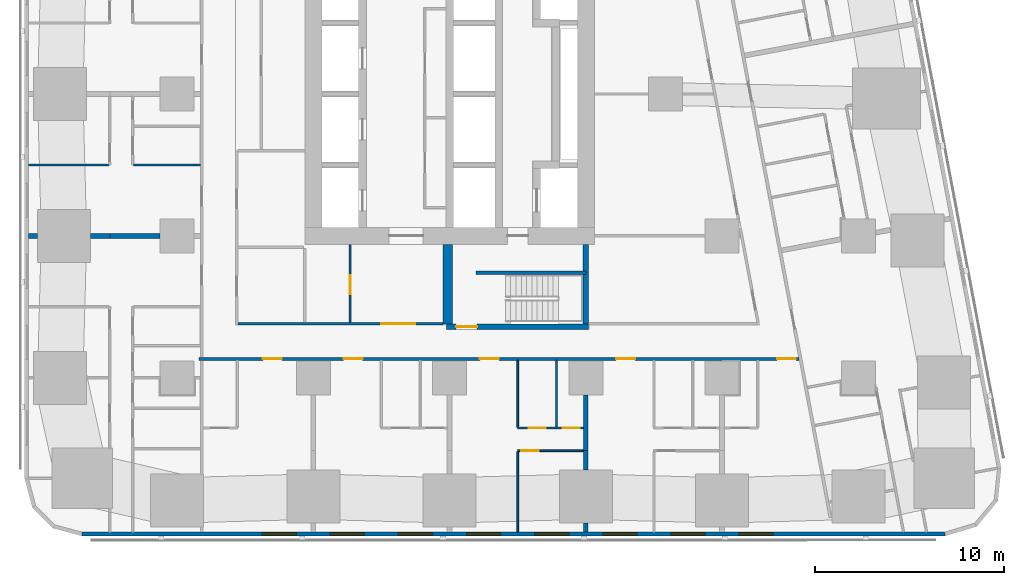
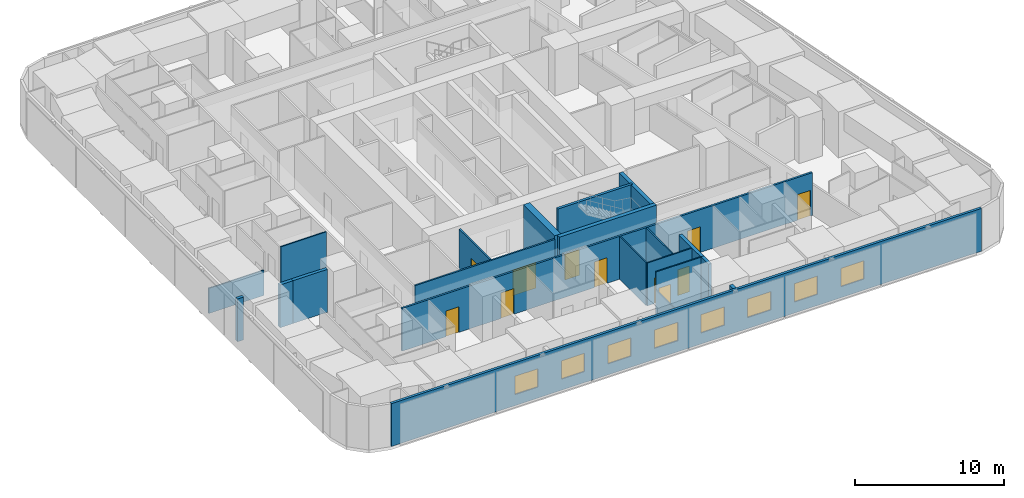
# One storey, part 3 of 15: 21 walls, 11 doors, 8 windows, 19 openings.
"""IFC4 building model written with IfcOpenShell, lengths in metres."""

from ifc_helpers import new_model, si_unit, direction, frame, frame_2d, origin, place, context, subcontext, project, spatial, rectangle, extrude, material, layer, layer_set, type_object, element, fill, save


model = new_model("IFC4")

# Units and contexts
model_context = context("Model", 3, precision=1e-05, world=origin(), true_north=direction((0.0, 1.0)))
body_context = subcontext(model_context, "Body", "Model", "MODEL_VIEW")
ifc_project = project(units=[si_unit("LENGTHUNIT", "METRE"), si_unit("AREAUNIT", "SQUARE_METRE"), si_unit("VOLUMEUNIT", "CUBIC_METRE"), si_unit("PLANEANGLEUNIT", "RADIAN"), si_unit("MASSUNIT", "GRAM", prefix="KILO")], contexts=[model_context])

# Site, building, storey
site_placement = place(None, origin())
site = spatial("IfcSite", under=ifc_project, at=site_placement, CompositionType="ELEMENT")
building_placement = place(site_placement, origin())
building = spatial("IfcBuilding", under=site, at=building_placement, Name="Sheger Commons Tower", CompositionType="ELEMENT")
storey_placement = place(building_placement, frame((0.0, 0.0, 42.5)))
storey = spatial("IfcBuildingStorey", under=building, at=storey_placement, Name="L10", CompositionType="ELEMENT", Elevation=42.5)

# Wall, openings, doors
ifc_material_1 = material(Name="Hollow concrete block masonry, skimmed both sides", Category="masonry")
ifc_layer_1 = layer(ifc_material_1, 0.14990234375)
ifc_layer_set_1 = layer_set([ifc_layer_1], Name="CORRIDOR WALL 150")
wall_type_1 = type_object("IfcWallType", Name="CORRIDOR WALL 150", PredefinedType="SOLIDWALL", material=ifc_layer_set_1)
wall_1_placement = place(storey_placement, frame((40.053955078125, 8.5, 0.0), z_axis=(0.0, 0.0, 1.0), x_axis=(-1.0, 0.0, 0.0)))
wall_1 = element("IfcWall", 1, at=wall_1_placement, inside=storey, type_object=wall_type_1, Name="Corridor wall L10", PredefinedType="SOLIDWALL", context=body_context, shape_type="SweptSolid", body=[
    extrude(rectangle(XDim=31.703857421875, YDim=0.14990234375, at=frame_2d((15.85205078125, 0.0))), origin(), (0.0, 0.0, 1.0), 3.5),
])
opening_1_placement = place(wall_1_placement, frame((27.321044921875, 0.0, 0.0)))
opening_1 = element("IfcOpeningElement", 2, at=opening_1_placement, cuts=wall_1, Name="Opening D1", PredefinedType="OPENING", context=body_context, shape_type="SweptSolid", body=[
    extrude(rectangle(XDim=1.0, YDim=2.10009765625, at=frame_2d((0.5, 1.050048828125))), frame((0.0, 0.0849609375, 0.0), z_axis=(0.0, -1.0, 0.0), x_axis=(1.0, 0.0, 0.0)), (0.0, 0.0, 1.0), 0.169921875),
])
opening_2_placement = place(wall_1_placement, frame((23.053955078125, 0.0, 0.0)))
opening_2 = element("IfcOpeningElement", 3, at=opening_2_placement, cuts=wall_1, Name="Opening D1", PredefinedType="OPENING", context=body_context, shape_type="SweptSolid", body=[
    extrude(rectangle(XDim=1.0, YDim=2.10009765625, at=frame_2d((0.5, 1.050048828125))), frame((0.0, 0.0849609375, 0.0), z_axis=(0.0, -1.0, 0.0), x_axis=(1.0, 0.0, 0.0)), (0.0, 0.0, 1.0), 0.169921875),
])
opening_3_placement = place(wall_1_placement, frame((15.85400390625, 0.0, 0.0)))
opening_3 = element("IfcOpeningElement", 4, at=opening_3_placement, cuts=wall_1, Name="Opening D1", PredefinedType="OPENING", context=body_context, shape_type="SweptSolid", body=[
    extrude(rectangle(XDim=1.0, YDim=2.10009765625, at=frame_2d((0.5, 1.050048828125))), frame((0.0, 0.0849609375, 0.0), z_axis=(0.0, -1.0, 0.0), x_axis=(1.0, 0.0, 0.0)), (0.0, 0.0, 1.0), 0.169921875),
])
opening_4_placement = place(wall_1_placement, frame((8.654052734375, 0.0, 0.0)))
opening_4 = element("IfcOpeningElement", 5, at=opening_4_placement, cuts=wall_1, Name="Opening D1", PredefinedType="OPENING", context=body_context, shape_type="SweptSolid", body=[
    extrude(rectangle(XDim=1.0, YDim=2.10009765625, at=frame_2d((0.5, 1.050048828125))), frame((0.0, 0.0849609375, 0.0), z_axis=(0.0, -1.0, 0.0), x_axis=(1.0, 0.0, 0.0)), (0.0, 0.0, 1.0), 0.169921875),
])
opening_5_placement = place(wall_1_placement, frame((0.14990234375, 0.0, 0.0)))
opening_5 = element("IfcOpeningElement", 6, at=opening_5_placement, cuts=wall_1, Name="Opening D1", PredefinedType="OPENING", context=body_context, shape_type="SweptSolid", body=[
    extrude(rectangle(XDim=1.0, YDim=2.10009765625, at=frame_2d((0.5, 1.050048828125))), frame((0.0, 0.0849609375, 0.0), z_axis=(0.0, -1.0, 0.0), x_axis=(1.0, 0.0, 0.0)), (0.0, 0.0, 1.0), 0.169921875),
])
ifc_material_2 = material(Name="Steel door set, fire rated", Category="steel")
door_type_1 = type_object("IfcDoorType", Name="FLAT ENTRANCE DOOR 1000x2100", OperationType="NOTDEFINED", PredefinedType="DOOR", material=ifc_material_2)
door_1_placement = place(opening_1_placement, origin())
door_1 = element("IfcDoor", 7, at=door_1_placement, inside=storey, type_object=door_type_1, Name="Flat entrance door", OperationType="SINGLE_SWING_LEFT", OverallHeight=2.10009765625, OverallWidth=1.0, PredefinedType="DOOR", context=body_context, shape_type="SweptSolid", body=[
    extrude(rectangle(XDim=1.0, YDim=2.10009765625, at=frame_2d((0.5, 1.050048828125))), frame((0.0, 0.02490234375, 0.0), z_axis=(0.0, -1.0, 0.0), x_axis=(1.0, 0.0, 0.0)), (0.0, 0.0, 1.0), 0.050048828125),
])
fill(opening_1, door_1)
door_2_placement = place(opening_2_placement, origin())
door_2 = element("IfcDoor", 8, at=door_2_placement, inside=storey, type_object=door_type_1, Name="Flat entrance door", OperationType="SINGLE_SWING_LEFT", OverallHeight=2.10009765625, OverallWidth=1.0, PredefinedType="DOOR", context=body_context, shape_type="SweptSolid", body=[
    extrude(rectangle(XDim=1.0, YDim=2.10009765625, at=frame_2d((0.5, 1.050048828125))), frame((0.0, 0.02490234375, 0.0), z_axis=(0.0, -1.0, 0.0), x_axis=(1.0, 0.0, 0.0)), (0.0, 0.0, 1.0), 0.050048828125),
])
fill(opening_2, door_2)
door_3_placement = place(opening_3_placement, origin())
door_3 = element("IfcDoor", 9, at=door_3_placement, inside=storey, type_object=door_type_1, Name="Flat entrance door", OperationType="SINGLE_SWING_LEFT", OverallHeight=2.10009765625, OverallWidth=1.0, PredefinedType="DOOR", context=body_context, shape_type="SweptSolid", body=[
    extrude(rectangle(XDim=1.0, YDim=2.10009765625, at=frame_2d((0.5, 1.050048828125))), frame((0.0, 0.02490234375, 0.0), z_axis=(0.0, -1.0, 0.0), x_axis=(1.0, 0.0, 0.0)), (0.0, 0.0, 1.0), 0.050048828125),
])
fill(opening_3, door_3)
door_4_placement = place(opening_4_placement, origin())
door_4 = element("IfcDoor", 10, at=door_4_placement, inside=storey, type_object=door_type_1, Name="Flat entrance door", OperationType="SINGLE_SWING_LEFT", OverallHeight=2.10009765625, OverallWidth=1.0, PredefinedType="DOOR", context=body_context, shape_type="SweptSolid", body=[
    extrude(rectangle(XDim=1.0, YDim=2.10009765625, at=frame_2d((0.5, 1.050048828125))), frame((0.0, 0.02490234375, 0.0), z_axis=(0.0, -1.0, 0.0), x_axis=(1.0, 0.0, 0.0)), (0.0, 0.0, 1.0), 0.050048828125),
])
fill(opening_4, door_4)
door_5_placement = place(opening_5_placement, origin())
door_5 = element("IfcDoor", 11, at=door_5_placement, inside=storey, type_object=door_type_1, Name="Flat entrance door", OperationType="SINGLE_SWING_LEFT", OverallHeight=2.10009765625, OverallWidth=1.0, PredefinedType="DOOR", context=body_context, shape_type="SweptSolid", body=[
    extrude(rectangle(XDim=1.0, YDim=2.10009765625, at=frame_2d((0.5, 1.050048828125))), frame((0.0, 0.02490234375, 0.0), z_axis=(0.0, -1.0, 0.0), x_axis=(1.0, 0.0, 0.0)), (0.0, 0.0, 1.0), 0.050048828125),
])
fill(opening_5, door_5)

# Walls
ifc_material_3 = material(Name="Dense concrete block masonry, plastered both sides (separating wall between flats)", Category="masonry")
ifc_layer_2 = layer(ifc_material_3, 0.25)
ifc_layer_set_2 = layer_set([ifc_layer_2], Name="DEMISING WALL 250")
wall_type_2 = type_object("IfcWallType", Name="DEMISING WALL 250", PredefinedType="SOLIDWALL", material=ifc_layer_set_2)
wall_2_placement = place(storey_placement, frame((-0.64990234375, 15.0, 0.0), z_axis=(0.0, 0.0, 1.0), x_axis=(1.0, 0.0, 0.0)))
element("IfcWall", 12, at=wall_2_placement, inside=storey, type_object=wall_type_2, Name="Demising wall L10", PredefinedType="SOLIDWALL", context=body_context, shape_type="SweptSolid", body=[
    extrude(rectangle(XDim=0.473876953125, YDim=0.25, at=frame_2d((0.23681640625, 0.0))), origin(), (0.0, 0.0, 1.0), 3.5),
])
wall_3_placement = place(storey_placement, frame((2.6259765625, 15.0, 0.0), z_axis=(0.0, 0.0, 1.0), x_axis=(1.0, 0.0, 0.0)))
element("IfcWall", 13, at=wall_3_placement, inside=storey, type_object=wall_type_2, Name="Demising wall L10", PredefinedType="SOLIDWALL", context=body_context, shape_type="SweptSolid", body=[
    extrude(rectangle(XDim=1.02392578125, YDim=0.25, at=frame_2d((0.511962890625, 0.0))), origin(), (0.0, 0.0, 1.0), 3.5),
])
wall_4_placement = place(storey_placement, frame((3.64990234375, 15.0, 0.0), z_axis=(0.0, 0.0, 1.0), x_axis=(1.0, 0.0, 0.0)))
element("IfcWall", 14, at=wall_4_placement, inside=storey, type_object=wall_type_2, Name="Demising wall L10", PredefinedType="SOLIDWALL", context=body_context, shape_type="SweptSolid", body=[
    extrude(rectangle(XDim=2.649169921875, YDim=0.25, at=frame_2d((1.32470703125, 0.0))), origin(), (0.0, 0.0, 1.0), 3.5),
])
wall_5_placement = place(storey_placement, frame((28.800048828125, -0.64990234375, 0.0), z_axis=(0.0, 0.0, 1.0), x_axis=(0.0, 1.0, 0.0)))
element("IfcWall", 15, at=wall_5_placement, inside=storey, type_object=wall_type_2, Name="Demising wall L10", PredefinedType="SOLIDWALL", context=body_context, shape_type="SweptSolid", body=[
    extrude(rectangle(XDim=0.473876953125, YDim=0.25, at=frame_2d((0.23681640625, 0.0))), origin(), (0.0, 0.0, 1.0), 3.5),
])
wall_6_placement = place(storey_placement, frame((28.800048828125, 2.6259765625, 0.0), z_axis=(0.0, 0.0, 1.0), x_axis=(0.0, 1.0, 0.0)))
element("IfcWall", 16, at=wall_6_placement, inside=storey, type_object=wall_type_2, Name="Demising wall L10", PredefinedType="SOLIDWALL", context=body_context, shape_type="SweptSolid", body=[
    extrude(rectangle(XDim=1.02392578125, YDim=0.25, at=frame_2d((0.511962890625, 0.0))), origin(), (0.0, 0.0, 1.0), 3.5),
])
wall_7_placement = place(storey_placement, frame((28.800048828125, 3.64990234375, 0.0), z_axis=(0.0, 0.0, 1.0), x_axis=(0.0, 1.0, 0.0)))
element("IfcWall", 17, at=wall_7_placement, inside=storey, type_object=wall_type_2, Name="Demising wall L10", PredefinedType="SOLIDWALL", context=body_context, shape_type="SweptSolid", body=[
    extrude(rectangle(XDim=2.94921875, YDim=0.25, at=frame_2d((1.474609375, 0.0))), origin(), (0.0, 0.0, 1.0), 3.5),
])

# Wall, openings, windows
ifc_material_4 = material(Name="Rendered concrete block masonry, dark grey", Category="masonry")
ifc_layer_3 = layer(ifc_material_4, 0.199951171875)
ifc_layer_set_3 = layer_set([ifc_layer_3], Name="FACADE WALL 200")
wall_type_3 = type_object("IfcWallType", Name="FACADE WALL 200", PredefinedType="SOLIDWALL", material=ifc_layer_set_3)
wall_8_placement = place(storey_placement, frame((2.1630859375, -0.75, 0.0), z_axis=(0.0, 0.0, 1.0), x_axis=(1.0, 0.0, 0.0)))
wall_8 = element("IfcWall", 18, at=wall_8_placement, inside=storey, type_object=wall_type_3, Name="Facade wall L10", PredefinedType="SOLIDWALL", context=body_context, shape_type="SweptSolid", body=[
    extrude(rectangle(XDim=45.6279296875, YDim=0.199951171875, at=frame_2d((22.81396484375, 0.0))), origin(), (0.0, 0.0, 1.0), 3.5),
])
opening_6_placement = place(wall_8_placement, frame((9.537109375, 0.0, 0.89990234375)))
opening_6 = element("IfcOpeningElement", 19, at=opening_6_placement, cuts=wall_8, Name="Opening W2", PredefinedType="OPENING", context=body_context, shape_type="SweptSolid", body=[
    extrude(rectangle(XDim=1.800048828125, YDim=1.5, at=frame_2d((0.89990234375, 0.75))), frame((0.0, 0.10986328125, 0.0), z_axis=(0.0, -1.0, 0.0), x_axis=(1.0, 0.0, 0.0)), (0.0, 0.0, 1.0), 0.219970703125),
])
opening_7_placement = place(wall_8_placement, frame((13.136962890625, 0.0, 0.89990234375)))
opening_7 = element("IfcOpeningElement", 20, at=opening_7_placement, cuts=wall_8, Name="Opening W2", PredefinedType="OPENING", context=body_context, shape_type="SweptSolid", body=[
    extrude(rectangle(XDim=1.800048828125, YDim=1.5, at=frame_2d((0.89990234375, 0.75))), frame((0.0, 0.10986328125, 0.0), z_axis=(0.0, -1.0, 0.0), x_axis=(1.0, 0.0, 0.0)), (0.0, 0.0, 1.0), 0.219970703125),
])
opening_8_placement = place(wall_8_placement, frame((16.737060546875, 0.0, 0.89990234375)))
opening_8 = element("IfcOpeningElement", 21, at=opening_8_placement, cuts=wall_8, Name="Opening W2", PredefinedType="OPENING", context=body_context, shape_type="SweptSolid", body=[
    extrude(rectangle(XDim=1.800048828125, YDim=1.5, at=frame_2d((0.89990234375, 0.75))), frame((0.0, 0.10986328125, 0.0), z_axis=(0.0, -1.0, 0.0), x_axis=(1.0, 0.0, 0.0)), (0.0, 0.0, 1.0), 0.219970703125),
])
opening_9_placement = place(wall_8_placement, frame((20.3369140625, 0.0, 0.89990234375)))
opening_9 = element("IfcOpeningElement", 22, at=opening_9_placement, cuts=wall_8, Name="Opening W2", PredefinedType="OPENING", context=body_context, shape_type="SweptSolid", body=[
    extrude(rectangle(XDim=1.800048828125, YDim=1.5, at=frame_2d((0.89990234375, 0.75))), frame((0.0, 0.10986328125, 0.0), z_axis=(0.0, -1.0, 0.0), x_axis=(1.0, 0.0, 0.0)), (0.0, 0.0, 1.0), 0.219970703125),
])
opening_10_placement = place(wall_8_placement, frame((23.93701171875, 0.0, 0.89990234375)))
opening_10 = element("IfcOpeningElement", 23, at=opening_10_placement, cuts=wall_8, Name="Opening W2", PredefinedType="OPENING", context=body_context, shape_type="SweptSolid", body=[
    extrude(rectangle(XDim=1.800048828125, YDim=1.5, at=frame_2d((0.89990234375, 0.75))), frame((0.0, 0.10986328125, 0.0), z_axis=(0.0, -1.0, 0.0), x_axis=(1.0, 0.0, 0.0)), (0.0, 0.0, 1.0), 0.219970703125),
])
opening_11_placement = place(wall_8_placement, frame((27.537109375, 0.0, 0.89990234375)))
opening_11 = element("IfcOpeningElement", 24, at=opening_11_placement, cuts=wall_8, Name="Opening W2", PredefinedType="OPENING", context=body_context, shape_type="SweptSolid", body=[
    extrude(rectangle(XDim=1.800048828125, YDim=1.5, at=frame_2d((0.89990234375, 0.75))), frame((0.0, 0.10986328125, 0.0), z_axis=(0.0, -1.0, 0.0), x_axis=(1.0, 0.0, 0.0)), (0.0, 0.0, 1.0), 0.219970703125),
])
opening_12_placement = place(wall_8_placement, frame((31.136962890625, 0.0, 0.89990234375)))
opening_12 = element("IfcOpeningElement", 25, at=opening_12_placement, cuts=wall_8, Name="Opening W2", PredefinedType="OPENING", context=body_context, shape_type="SweptSolid", body=[
    extrude(rectangle(XDim=1.800048828125, YDim=1.5, at=frame_2d((0.89990234375, 0.75))), frame((0.0, 0.10986328125, 0.0), z_axis=(0.0, -1.0, 0.0), x_axis=(1.0, 0.0, 0.0)), (0.0, 0.0, 1.0), 0.219970703125),
])
opening_13_placement = place(wall_8_placement, frame((34.737060546875, 0.0, 0.89990234375)))
opening_13 = element("IfcOpeningElement", 26, at=opening_13_placement, cuts=wall_8, Name="Opening W2", PredefinedType="OPENING", context=body_context, shape_type="SweptSolid", body=[
    extrude(rectangle(XDim=1.800048828125, YDim=1.5, at=frame_2d((0.89990234375, 0.75))), frame((0.0, 0.10986328125, 0.0), z_axis=(0.0, -1.0, 0.0), x_axis=(1.0, 0.0, 0.0)), (0.0, 0.0, 1.0), 0.219970703125),
])
ifc_material_5 = material(Name="Black aluminium frame, dark tinted double glazing", Category="aluminium")
window_type = type_object("IfcWindowType", Name="WINDOW W2 1800x1500", PartitioningType="SINGLE_PANEL", PredefinedType="WINDOW", material=ifc_material_5)
window_1_placement = place(opening_6_placement, origin())
window_1 = element("IfcWindow", 27, at=window_1_placement, inside=storey, type_object=window_type, Name="Window W2 1800X1500", OverallHeight=1.5, OverallWidth=1.800048828125, PartitioningType="SINGLE_PANEL", PredefinedType="WINDOW", context=body_context, shape_type="SweptSolid", body=[
    extrude(rectangle(XDim=1.800048828125, YDim=1.5, at=frame_2d((0.89990234375, 0.75))), frame((0.0, 0.030029296875, 0.0), z_axis=(0.0, -1.0, 0.0), x_axis=(1.0, 0.0, 0.0)), (0.0, 0.0, 1.0), 0.06005859375),
])
fill(opening_6, window_1)
window_2_placement = place(opening_7_placement, origin())
window_2 = element("IfcWindow", 28, at=window_2_placement, inside=storey, type_object=window_type, Name="Window W2 1800X1500", OverallHeight=1.5, OverallWidth=1.800048828125, PartitioningType="SINGLE_PANEL", PredefinedType="WINDOW", context=body_context, shape_type="SweptSolid", body=[
    extrude(rectangle(XDim=1.800048828125, YDim=1.5, at=frame_2d((0.89990234375, 0.75))), frame((0.0, 0.030029296875, 0.0), z_axis=(0.0, -1.0, 0.0), x_axis=(1.0, 0.0, 0.0)), (0.0, 0.0, 1.0), 0.06005859375),
])
fill(opening_7, window_2)
window_3_placement = place(opening_8_placement, origin())
window_3 = element("IfcWindow", 29, at=window_3_placement, inside=storey, type_object=window_type, Name="Window W2 1800X1500", OverallHeight=1.5, OverallWidth=1.800048828125, PartitioningType="SINGLE_PANEL", PredefinedType="WINDOW", context=body_context, shape_type="SweptSolid", body=[
    extrude(rectangle(XDim=1.800048828125, YDim=1.5, at=frame_2d((0.89990234375, 0.75))), frame((0.0, 0.030029296875, 0.0), z_axis=(0.0, -1.0, 0.0), x_axis=(1.0, 0.0, 0.0)), (0.0, 0.0, 1.0), 0.06005859375),
])
fill(opening_8, window_3)
window_4_placement = place(opening_9_placement, origin())
window_4 = element("IfcWindow", 30, at=window_4_placement, inside=storey, type_object=window_type, Name="Window W2 1800X1500", OverallHeight=1.5, OverallWidth=1.800048828125, PartitioningType="SINGLE_PANEL", PredefinedType="WINDOW", context=body_context, shape_type="SweptSolid", body=[
    extrude(rectangle(XDim=1.800048828125, YDim=1.5, at=frame_2d((0.89990234375, 0.75))), frame((0.0, 0.030029296875, 0.0), z_axis=(0.0, -1.0, 0.0), x_axis=(1.0, 0.0, 0.0)), (0.0, 0.0, 1.0), 0.06005859375),
])
fill(opening_9, window_4)
window_5_placement = place(opening_10_placement, origin())
window_5 = element("IfcWindow", 31, at=window_5_placement, inside=storey, type_object=window_type, Name="Window W2 1800X1500", OverallHeight=1.5, OverallWidth=1.800048828125, PartitioningType="SINGLE_PANEL", PredefinedType="WINDOW", context=body_context, shape_type="SweptSolid", body=[
    extrude(rectangle(XDim=1.800048828125, YDim=1.5, at=frame_2d((0.89990234375, 0.75))), frame((0.0, 0.030029296875, 0.0), z_axis=(0.0, -1.0, 0.0), x_axis=(1.0, 0.0, 0.0)), (0.0, 0.0, 1.0), 0.06005859375),
])
fill(opening_10, window_5)
window_6_placement = place(opening_11_placement, origin())
window_6 = element("IfcWindow", 32, at=window_6_placement, inside=storey, type_object=window_type, Name="Window W2 1800X1500", OverallHeight=1.5, OverallWidth=1.800048828125, PartitioningType="SINGLE_PANEL", PredefinedType="WINDOW", context=body_context, shape_type="SweptSolid", body=[
    extrude(rectangle(XDim=1.800048828125, YDim=1.5, at=frame_2d((0.89990234375, 0.75))), frame((0.0, 0.030029296875, 0.0), z_axis=(0.0, -1.0, 0.0), x_axis=(1.0, 0.0, 0.0)), (0.0, 0.0, 1.0), 0.06005859375),
])
fill(opening_11, window_6)
window_7_placement = place(opening_12_placement, origin())
window_7 = element("IfcWindow", 33, at=window_7_placement, inside=storey, type_object=window_type, Name="Window W2 1800X1500", OverallHeight=1.5, OverallWidth=1.800048828125, PartitioningType="SINGLE_PANEL", PredefinedType="WINDOW", context=body_context, shape_type="SweptSolid", body=[
    extrude(rectangle(XDim=1.800048828125, YDim=1.5, at=frame_2d((0.89990234375, 0.75))), frame((0.0, 0.030029296875, 0.0), z_axis=(0.0, -1.0, 0.0), x_axis=(1.0, 0.0, 0.0)), (0.0, 0.0, 1.0), 0.06005859375),
])
fill(opening_12, window_7)
window_8_placement = place(opening_13_placement, origin())
window_8 = element("IfcWindow", 34, at=window_8_placement, inside=storey, type_object=window_type, Name="Window W2 1800X1500", OverallHeight=1.5, OverallWidth=1.800048828125, PartitioningType="SINGLE_PANEL", PredefinedType="WINDOW", context=body_context, shape_type="SweptSolid", body=[
    extrude(rectangle(XDim=1.800048828125, YDim=1.5, at=frame_2d((0.89990234375, 0.75))), frame((0.0, 0.030029296875, 0.0), z_axis=(0.0, -1.0, 0.0), x_axis=(1.0, 0.0, 0.0)), (0.0, 0.0, 1.0), 0.06005859375),
])
fill(opening_13, window_8)

# Walls
ifc_material_6 = material(Name="Gypsum board on steel studs", Category="steel")
ifc_layer_4 = layer(ifc_material_6, 0.10009765625)
ifc_layer_set_4 = layer_set([ifc_layer_4], Name="PARTITION 100")
wall_type_4 = type_object("IfcWallType", Name="PARTITION 100", PredefinedType="PARTITIONING", material=ifc_layer_set_4)
wall_9_placement = place(storey_placement, frame((-0.64990234375, 18.75, 0.0), z_axis=(0.0, 0.0, 1.0), x_axis=(1.0, 0.0, 0.0)))
element("IfcWall", 35, at=wall_9_placement, inside=storey, type_object=wall_type_4, Name="Partition L10", PredefinedType="PARTITIONING", context=body_context, shape_type="SweptSolid", body=[
    extrude(rectangle(XDim=4.25, YDim=0.10009765625, at=frame_2d((2.125, 0.0))), origin(), (0.0, 0.0, 1.0), 2.050048828125),
])
wall_10_placement = place(storey_placement, frame((4.89990234375, 18.75, 0.0), z_axis=(0.0, 0.0, 1.0), x_axis=(1.0, 0.0, 0.0)))
element("IfcWall", 36, at=wall_10_placement, inside=storey, type_object=wall_type_4, Name="Partition L10", PredefinedType="PARTITIONING", context=body_context, shape_type="SweptSolid", body=[
    extrude(rectangle(XDim=3.525146484375, YDim=0.10009765625, at=frame_2d((1.7626953125, 0.0))), origin(), (0.0, 0.0, 1.0), 3.5),
])

# Wall, opening, door
wall_11_placement = place(storey_placement, frame((28.675048828125, 3.64990234375, 0.0), z_axis=(0.0, 0.0, 1.0), x_axis=(-1.0, 0.0, 0.0)))
wall_11 = element("IfcWall", 37, at=wall_11_placement, inside=storey, type_object=wall_type_4, Name="Partition L10", PredefinedType="PARTITIONING", context=body_context, shape_type="SweptSolid", body=[
    extrude(rectangle(XDim=3.47509765625, YDim=0.10009765625, at=frame_2d((1.737548828125, 0.0))), origin(), (0.0, 0.0, 1.0), 3.5),
])
opening_14_placement = place(wall_11_placement, frame((2.375, 0.0, 0.0)))
opening_14 = element("IfcOpeningElement", 38, at=opening_14_placement, cuts=wall_11, Name="Opening D2", PredefinedType="OPENING", context=body_context, shape_type="SweptSolid", body=[
    extrude(rectangle(XDim=0.89990234375, YDim=2.10009765625, at=frame_2d((0.449951171875, 1.050048828125))), frame((0.0, 0.06005859375, 0.0), z_axis=(0.0, -1.0, 0.0), x_axis=(1.0, 0.0, 0.0)), (0.0, 0.0, 1.0), 0.1201171875),
])
ifc_material_7 = material(Name="Timber door set", Category="wood")
door_type_2 = type_object("IfcDoorType", Name="INTERNAL DOOR 900x2100", OperationType="NOTDEFINED", PredefinedType="DOOR", material=ifc_material_7)
door_6_placement = place(opening_14_placement, origin())
door_6 = element("IfcDoor", 39, at=door_6_placement, inside=storey, type_object=door_type_2, Name="Main bedroom door", OperationType="SINGLE_SWING_RIGHT", OverallHeight=2.10009765625, OverallWidth=0.89990234375, PredefinedType="DOOR", context=body_context, shape_type="SweptSolid", body=[
    extrude(rectangle(XDim=0.89990234375, YDim=2.10009765625, at=frame_2d((0.449951171875, 1.050048828125))), frame((0.0, 0.02490234375, 0.0), z_axis=(0.0, -1.0, 0.0), x_axis=(1.0, 0.0, 0.0)), (0.0, 0.0, 1.0), 0.050048828125),
])
fill(opening_14, door_6)

# Wall, openings, doors
wall_12_placement = place(storey_placement, frame((28.675048828125, 4.85009765625, 0.0), z_axis=(0.0, 0.0, 1.0), x_axis=(-1.0, 0.0, 0.0)))
wall_12 = element("IfcWall", 40, at=wall_12_placement, inside=storey, type_object=wall_type_4, Name="Partition L10", PredefinedType="PARTITIONING", context=body_context, shape_type="SweptSolid", body=[
    extrude(rectangle(XDim=3.47509765625, YDim=0.10009765625, at=frame_2d((1.737548828125, 0.0))), origin(), (0.0, 0.0, 1.0), 3.5),
])
opening_15_placement = place(wall_12_placement, frame((2.0, 0.0, 0.0)))
opening_15 = element("IfcOpeningElement", 41, at=opening_15_placement, cuts=wall_12, Name="Opening D2", PredefinedType="OPENING", context=body_context, shape_type="SweptSolid", body=[
    extrude(rectangle(XDim=0.89990234375, YDim=2.10009765625, at=frame_2d((0.449951171875, 1.050048828125))), frame((0.0, 0.06005859375, 0.0), z_axis=(0.0, -1.0, 0.0), x_axis=(1.0, 0.0, 0.0)), (0.0, 0.0, 1.0), 0.1201171875),
])
opening_16_placement = place(wall_12_placement, frame((0.199951171875, 0.0, 0.0)))
opening_16 = element("IfcOpeningElement", 42, at=opening_16_placement, cuts=wall_12, Name="Opening D2", PredefinedType="OPENING", context=body_context, shape_type="SweptSolid", body=[
    extrude(rectangle(XDim=0.89990234375, YDim=2.10009765625, at=frame_2d((0.449951171875, 1.050048828125))), frame((0.0, 0.06005859375, 0.0), z_axis=(0.0, -1.0, 0.0), x_axis=(1.0, 0.0, 0.0)), (0.0, 0.0, 1.0), 0.1201171875),
])
door_7_placement = place(opening_15_placement, origin())
door_7 = element("IfcDoor", 43, at=door_7_placement, inside=storey, type_object=door_type_2, Name="Bathroom door", OperationType="SINGLE_SWING_LEFT", OverallHeight=2.10009765625, OverallWidth=0.89990234375, PredefinedType="DOOR", context=body_context, shape_type="SweptSolid", body=[
    extrude(rectangle(XDim=0.89990234375, YDim=2.10009765625, at=frame_2d((0.449951171875, 1.050048828125))), frame((0.0, 0.02490234375, 0.0), z_axis=(0.0, -1.0, 0.0), x_axis=(1.0, 0.0, 0.0)), (0.0, 0.0, 1.0), 0.050048828125),
])
fill(opening_15, door_7)
door_8_placement = place(opening_16_placement, origin())
door_8 = element("IfcDoor", 44, at=door_8_placement, inside=storey, type_object=door_type_2, Name="Store door", OperationType="SINGLE_SWING_RIGHT", OverallHeight=2.10009765625, OverallWidth=0.89990234375, PredefinedType="DOOR", context=body_context, shape_type="SweptSolid", body=[
    extrude(rectangle(XDim=0.89990234375, YDim=2.10009765625, at=frame_2d((0.449951171875, 1.050048828125))), frame((0.0, 0.02490234375, 0.0), z_axis=(0.0, -1.0, 0.0), x_axis=(1.0, 0.0, 0.0)), (0.0, 0.0, 1.0), 0.050048828125),
])
fill(opening_16, door_8)

# Walls
wall_13_placement = place(storey_placement, frame((25.199951171875, -0.64990234375, 0.0), z_axis=(0.0, 0.0, 1.0), x_axis=(0.0, 1.0, 0.0)))
element("IfcWall", 45, at=wall_13_placement, inside=storey, type_object=wall_type_4, Name="Partition L10", PredefinedType="PARTITIONING", context=body_context, shape_type="SweptSolid", body=[
    extrude(rectangle(XDim=4.25, YDim=0.10009765625, at=frame_2d((2.125, 0.0))), origin(), (0.0, 0.0, 1.0), 2.050048828125),
])
for number, where, z_axis, x_axis, name in (
    (46, (25.199951171875, 4.89990234375, 0.0), (0.0, 0.0, 1.0), (0.0, 1.0, 0.0), "Partition L10"),
    (47, (27.25, 4.89990234375, 0.0), (0.0, 0.0, 1.0), (0.0, 1.0, 0.0), "Partition L10"),
):
    element("IfcWall", number, at=place(storey_placement, frame(where, z_axis=z_axis, x_axis=x_axis)), inside=storey, type_object=wall_type_4, Name=name, PredefinedType="PARTITIONING", context=body_context, shape_type="SweptSolid", body=[
        extrude(rectangle(XDim=3.525146484375, YDim=0.10009765625, at=frame_2d((1.7626953125, 0.0))), origin(), (0.0, 0.0, 1.0), 3.5),
    ])

# Wall, opening, door
ifc_material_8 = material(Name="Gypsum board on steel studs, two layers each side, fire rated", Category="steel")
ifc_layer_5 = layer(ifc_material_8, 0.125)
ifc_layer_set_5 = layer_set([ifc_layer_5], Name="SERVICE WALL 125")
wall_type_5 = type_object("IfcWallType", Name="SERVICE WALL 125", PredefinedType="PARTITIONING", material=ifc_layer_set_5)
wall_14_placement = place(storey_placement, frame((10.4130859375, 10.35009765625, 0.0), z_axis=(0.0, 0.0, 1.0), x_axis=(1.0, 0.0, 0.0)))
wall_14 = element("IfcWall", 48, at=wall_14_placement, inside=storey, type_object=wall_type_5, Name="Service room wall L10", PredefinedType="PARTITIONING", context=body_context, shape_type="SweptSolid", body=[
    extrude(rectangle(XDim=10.8369140625, YDim=0.125, at=frame_2d((5.41845703125, 0.0))), origin(), (0.0, 0.0, 1.0), 3.5),
])
opening_17_placement = place(wall_14_placement, frame((7.58203125, 0.0, 0.0)))
opening_17 = element("IfcOpeningElement", 49, at=opening_17_placement, cuts=wall_14, Name="Opening D6", PredefinedType="OPENING", context=body_context, shape_type="SweptSolid", body=[
    extrude(rectangle(XDim=1.800048828125, YDim=2.10009765625, at=frame_2d((0.89990234375, 1.050048828125))), frame((0.0, 0.072509765625, 0.0), z_axis=(0.0, -1.0, 0.0), x_axis=(1.0, 0.0, 0.0)), (0.0, 0.0, 1.0), 0.14501953125),
])
ifc_material_9 = material(Name="Steel door set, fire rated", Category="steel")
door_type_3 = type_object("IfcDoorType", Name="LOBBY DOUBLE DOOR 1800x2100", OperationType="DOUBLE_DOOR_SINGLE_SWING", PredefinedType="DOOR", material=ifc_material_9)
door_9_placement = place(opening_17_placement, origin())
door_9 = element("IfcDoor", 50, at=door_9_placement, inside=storey, type_object=door_type_3, Name="Lift lobby south door", OperationType="DOUBLE_DOOR_SINGLE_SWING", OverallHeight=2.10009765625, OverallWidth=1.800048828125, PredefinedType="DOOR", context=body_context, shape_type="SweptSolid", body=[
    extrude(rectangle(XDim=1.800048828125, YDim=2.10009765625, at=frame_2d((0.89990234375, 1.050048828125))), frame((0.0, 0.02490234375, 0.0), z_axis=(0.0, -1.0, 0.0), x_axis=(1.0, 0.0, 0.0)), (0.0, 0.0, 1.0), 0.050048828125),
])
fill(opening_17, door_9)

wall_15_placement = place(storey_placement, frame((16.340087890625, 10.4130859375, 0.0), z_axis=(0.0, 0.0, 1.0), x_axis=(0.0, 1.0, 0.0)))
wall_15 = element("IfcWall", 51, at=wall_15_placement, inside=storey, type_object=wall_type_5, Name="Service room wall L10", PredefinedType="PARTITIONING", context=body_context, shape_type="SweptSolid", body=[
    extrude(rectangle(XDim=4.136962890625, YDim=0.125, at=frame_2d((2.068359375, 0.0))), origin(), (0.0, 0.0, 1.0), 3.5),
])
opening_18_placement = place(wall_15_placement, frame((1.511962890625, 0.0, 0.0)))
opening_18 = element("IfcOpeningElement", 52, at=opening_18_placement, cuts=wall_15, Name="Opening D4", PredefinedType="OPENING", context=body_context, shape_type="SweptSolid", body=[
    extrude(rectangle(XDim=1.0, YDim=2.10009765625, at=frame_2d((0.5, 1.050048828125))), frame((0.0, 0.072509765625, 0.0), z_axis=(0.0, -1.0, 0.0), x_axis=(1.0, 0.0, 0.0)), (0.0, 0.0, 1.0), 0.14501953125),
])
ifc_material_10 = material(Name="Steel door set, fire rated", Category="steel")
door_type_4 = type_object("IfcDoorType", Name="SERVICE DOOR 1000x2100", OperationType="NOTDEFINED", PredefinedType="DOOR", material=ifc_material_10)
door_10_placement = place(opening_18_placement, origin())
door_10 = element("IfcDoor", 53, at=door_10_placement, inside=storey, type_object=door_type_4, Name="Electrical room door", OperationType="SINGLE_SWING_LEFT", OverallHeight=2.10009765625, OverallWidth=1.0, PredefinedType="DOOR", context=body_context, shape_type="SweptSolid", body=[
    extrude(rectangle(XDim=1.0, YDim=2.10009765625, at=frame_2d((0.5, 1.050048828125))), frame((0.0, 0.02490234375, 0.0), z_axis=(0.0, -1.0, 0.0), x_axis=(1.0, 0.0, 0.0)), (0.0, 0.0, 1.0), 0.050048828125),
])
fill(opening_18, door_10)

ifc_material_11 = material(Name="Concrete C50/60", Category="concrete")
ifc_layer_6 = layer(ifc_material_11, 0.300048828125)
ifc_layer_set_6 = layer_set([ifc_layer_6], Name="STAIR CORE WALL 300")
wall_type_6 = type_object("IfcWallType", Name="STAIR CORE WALL 300", PredefinedType="SHEAR", material=ifc_layer_set_6)
wall_16_placement = place(storey_placement, frame((21.449951171875, 10.199951171875, 0.0), z_axis=(0.0, 0.0, 1.0), x_axis=(1.0, 0.0, 0.0)))
wall_16 = element("IfcWall", 54, at=wall_16_placement, inside=storey, type_object=wall_type_6, Name="STW-L10-S1S", PredefinedType="SHEAR", context=body_context, shape_type="SweptSolid", body=[
    extrude(rectangle(XDim=7.5, YDim=0.300048828125, at=frame_2d((3.75, 0.0))), origin(), (0.0, 0.0, 1.0), 3.75),
])
opening_19_placement = place(wall_16_placement, frame((0.5, 0.0, 0.0)))
opening_19 = element("IfcOpeningElement", 55, at=opening_19_placement, cuts=wall_16, Name="Opening D5", PredefinedType="OPENING", context=body_context, shape_type="SweptSolid", body=[
    extrude(rectangle(XDim=1.10009765625, YDim=2.10009765625, at=frame_2d((0.550048828125, 1.050048828125))), frame((0.0, 0.159912109375, 0.0), z_axis=(0.0, -1.0, 0.0), x_axis=(1.0, 0.0, 0.0)), (0.0, 0.0, 1.0), 0.320068359375),
])
ifc_material_12 = material(Name="Steel door set, fire rated", Category="steel")
door_type_5 = type_object("IfcDoorType", Name="STAIR DOOR 1100x2100", OperationType="NOTDEFINED", PredefinedType="DOOR", material=ifc_material_12)
door_11_placement = place(opening_19_placement, origin())
door_11 = element("IfcDoor", 56, at=door_11_placement, inside=storey, type_object=door_type_5, Name="Stair S1 door", OperationType="SINGLE_SWING_LEFT", OverallHeight=2.10009765625, OverallWidth=1.10009765625, PredefinedType="DOOR", context=body_context, shape_type="SweptSolid", body=[
    extrude(rectangle(XDim=1.10009765625, YDim=2.10009765625, at=frame_2d((0.550048828125, 1.050048828125))), frame((0.0, 0.02490234375, 0.0), z_axis=(0.0, -1.0, 0.0), x_axis=(1.0, 0.0, 0.0)), (0.0, 0.0, 1.0), 0.050048828125),
])
fill(opening_19, door_11)

# Walls
wall_17_placement = place(storey_placement, frame((28.800048828125, 10.35009765625, 0.0), z_axis=(0.0, 0.0, 1.0), x_axis=(0.0, 1.0, 0.0)))
element("IfcWall", 57, at=wall_17_placement, inside=storey, type_object=wall_type_6, Name="STW-L10-S1E", PredefinedType="SHEAR", context=body_context, shape_type="SweptSolid", body=[
    extrude(rectangle(XDim=4.199951171875, YDim=0.300048828125, at=frame_2d((2.10009765625, 0.0))), origin(), (0.0, 0.0, 1.0), 3.75),
])
ifc_material_13 = material(Name="Concrete C50/60", Category="concrete")
ifc_layer_7 = layer(ifc_material_13, 0.5)
ifc_layer_set_7 = layer_set([ifc_layer_7], Name="STAIR CORE WALL 500")
wall_type_7 = type_object("IfcWallType", Name="STAIR CORE WALL 500", PredefinedType="SHEAR", material=ifc_layer_set_7)
wall_18_placement = place(storey_placement, frame((21.5, 10.35009765625, 0.0), z_axis=(0.0, 0.0, 1.0), x_axis=(0.0, 1.0, 0.0)))
element("IfcWall", 58, at=wall_18_placement, inside=storey, type_object=wall_type_7, Name="STW-L10-S1W", PredefinedType="SHEAR", context=body_context, shape_type="SweptSolid", body=[
    extrude(rectangle(XDim=4.199951171875, YDim=0.5, at=frame_2d((2.10009765625, 0.0))), origin(), (0.0, 0.0, 1.0), 3.75),
])
ifc_material_14 = material(Name="Concrete C50/60", Category="concrete")
ifc_layer_8 = layer(ifc_material_14, 0.199951171875)
ifc_layer_set_8 = layer_set([ifc_layer_8], Name="STAIR SPINE WALL 200")
wall_type_8 = type_object("IfcWallType", Name="STAIR SPINE WALL 200", PredefinedType="SHEAR", material=ifc_layer_set_8)
wall_19_placement = place(storey_placement, frame((23.0, 13.050048828125, 0.0), z_axis=(0.0, 0.0, 1.0), x_axis=(1.0, 0.0, 0.0)))
element("IfcWall", 59, at=wall_19_placement, inside=storey, type_object=wall_type_8, Name="Stair spine wall L10", PredefinedType="SHEAR", context=body_context, shape_type="SweptSolid", body=[
    extrude(rectangle(XDim=5.800048828125, YDim=0.199951171875, at=frame_2d((2.89990234375, 0.0))), origin(), (0.0, 0.0, 1.0), 3.75),
])

save(model, "model.ifc")
